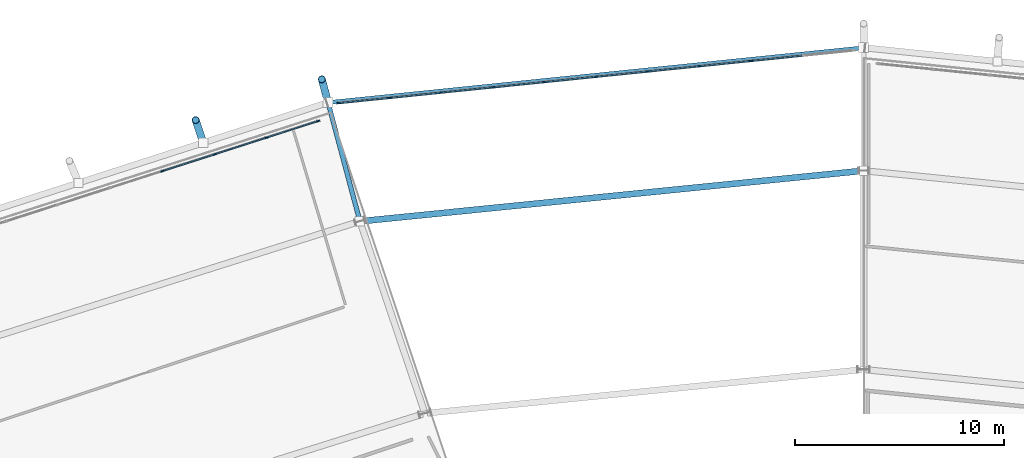
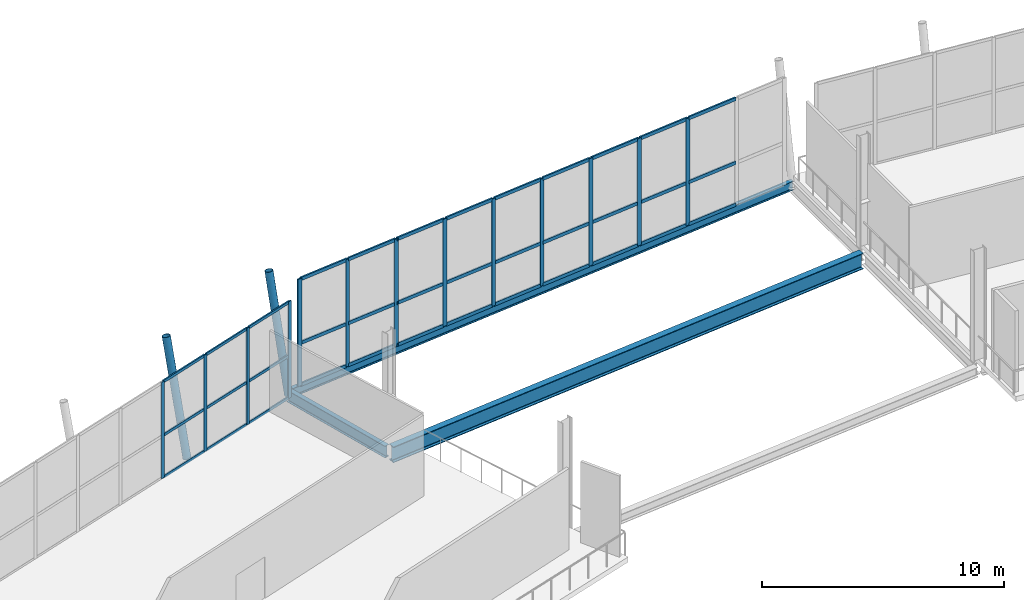
# One storey, part 47 of 99: 51 members, 3 beams, 2 elements without a shape of their own.
"""IFC4 building model written with IfcOpenShell, lengths in metres."""

from ifc_helpers import new_model, si_unit, direction, frame, origin, origin_2d, place, context, subcontext, project, spatial, rectangle, hollow_circle, i_section, extrude, material, material_profile, profile_set, type_object, element, aggregate, save


model = new_model("IFC4")

# Units and contexts
model_context = context("Model", 3, precision=1e-05, world=origin(), true_north=direction((0.0, 1.0)))
body_context = subcontext(model_context, "Body", "Model", "MODEL_VIEW")
ifc_project = project(units=[si_unit("LENGTHUNIT", "METRE"), si_unit("AREAUNIT", "SQUARE_METRE"), si_unit("VOLUMEUNIT", "CUBIC_METRE"), si_unit("PLANEANGLEUNIT", "RADIAN"), si_unit("MASSUNIT", "GRAM", prefix="KILO")], contexts=[model_context])

# Site, building, storey
site_placement = place(None, origin())
site = spatial("IfcSite", under=ifc_project, at=site_placement, CompositionType="ELEMENT")
building_placement = place(site_placement, origin())
building = spatial("IfcBuilding", under=site, at=building_placement, Name="Zlatoyarsky Gate Stadium", CompositionType="ELEMENT")
storey_placement = place(building_placement, frame((0.0, 0.0, 26.199951171875)))
storey = spatial("IfcBuildingStorey", under=building, at=storey_placement, Name="L05", CompositionType="ELEMENT", Elevation=26.199951171875)

# Curtain wall, members
ifc_material_1 = material(Name="Thermally broken anodised aluminium curtain wall", Category="aluminium")
curtain_wall_type_1 = type_object("IfcCurtainWallType", Name="MONUMENTAL ARCHED GATE GLAZING UPPER", PredefinedType="USERDEFINED", material=ifc_material_1)
curtain_wall_1_placement = place(storey_placement, origin())
curtain_wall_1 = element("IfcCurtainWall", 1, at=curtain_wall_1_placement, inside=storey, type_object=curtain_wall_type_1, Name="Curtain wall CW-L05-06", ObjectType="ARCHED GATE GLAZING", PredefinedType="USERDEFINED")
ifc_material_2 = material(Name="Anodised aluminium 6063-T6", Category="aluminium")
ifc_material_profile_1 = material_profile(ifc_material_2, rectangle(XDim=0.074951171875, YDim=0.18994140625, at=origin_2d()), Name="ALU 75X190")
ifc_profile_set_1 = profile_set([ifc_material_profile_1], Name="Anodised aluminium 6063-T6")
member_type_1 = type_object("IfcMemberType", Name="ALUMINIUM GATE MULLION 75X190", PredefinedType="MULLION", material=ifc_profile_set_1)
member_1_placement = place(storey_placement, frame((105.6171875, 156.247314453125, -0.260009765625), z_axis=(0.0, 0.0, 1.0), x_axis=(0.101805036399, -0.994804369996, 0.0)))
member_1 = element("IfcMember", 2, at=member_1_placement, type_object=member_type_1, Name="CW-AG2 mullion 3", PredefinedType="MULLION", context=body_context, shape_type="SweptSolid", body=[
    extrude(rectangle(XDim=0.074951171875, YDim=0.18994140625, at=origin_2d()), origin(), (0.0, 0.0, 1.0), 5.41015625),
])
member_2_placement = place(storey_placement, frame((103.149658203125, 155.99462890625, -0.260009765625), z_axis=(0.0, 0.0, 1.0), x_axis=(0.101805036399, -0.994804369996, 0.0)))
member_2 = element("IfcMember", 3, at=member_2_placement, type_object=member_type_1, Name="CW-AG2 mullion 4", PredefinedType="MULLION", context=body_context, shape_type="SweptSolid", body=[
    extrude(rectangle(XDim=0.074951171875, YDim=0.18994140625, at=origin_2d()), origin(), (0.0, 0.0, 1.0), 5.41015625),
])
member_3_placement = place(storey_placement, frame((100.68212890625, 155.7421875, -0.260009765625), z_axis=(0.0, 0.0, 1.0), x_axis=(0.101805036399, -0.994804369996, 0.0)))
member_3 = element("IfcMember", 4, at=member_3_placement, type_object=member_type_1, Name="CW-AG2 mullion 5", PredefinedType="MULLION", context=body_context, shape_type="SweptSolid", body=[
    extrude(rectangle(XDim=0.074951171875, YDim=0.18994140625, at=origin_2d()), origin(), (0.0, 0.0, 1.0), 5.41015625),
])
member_4_placement = place(storey_placement, frame((98.214599609375, 155.48974609375, -0.260009765625), z_axis=(0.0, 0.0, 1.0), x_axis=(0.101805036399, -0.994804369996, 0.0)))
member_4 = element("IfcMember", 5, at=member_4_placement, type_object=member_type_1, Name="CW-AG2 mullion 6", PredefinedType="MULLION", context=body_context, shape_type="SweptSolid", body=[
    extrude(rectangle(XDim=0.074951171875, YDim=0.18994140625, at=origin_2d()), origin(), (0.0, 0.0, 1.0), 5.41015625),
])
member_5_placement = place(storey_placement, frame((95.7470703125, 155.237060546875, -0.260009765625), z_axis=(0.0, 0.0, 1.0), x_axis=(0.101805036399, -0.994804369996, 0.0)))
member_5 = element("IfcMember", 6, at=member_5_placement, type_object=member_type_1, Name="CW-AG2 mullion 7", PredefinedType="MULLION", context=body_context, shape_type="SweptSolid", body=[
    extrude(rectangle(XDim=0.074951171875, YDim=0.18994140625, at=origin_2d()), origin(), (0.0, 0.0, 1.0), 5.41015625),
])
member_6_placement = place(storey_placement, frame((93.279541015625, 154.984619140625, -0.260009765625), z_axis=(0.0, 0.0, 1.0), x_axis=(0.101805036399, -0.994804369996, 0.0)))
member_6 = element("IfcMember", 7, at=member_6_placement, type_object=member_type_1, Name="CW-AG2 mullion 8", PredefinedType="MULLION", context=body_context, shape_type="SweptSolid", body=[
    extrude(rectangle(XDim=0.074951171875, YDim=0.18994140625, at=origin_2d()), origin(), (0.0, 0.0, 1.0), 5.41015625),
])
member_7_placement = place(storey_placement, frame((90.81201171875, 154.732177734375, -0.260009765625), z_axis=(0.0, 0.0, 1.0), x_axis=(0.101805036399, -0.994804369996, 0.0)))
member_7 = element("IfcMember", 8, at=member_7_placement, type_object=member_type_1, Name="CW-AG2 mullion 9", PredefinedType="MULLION", context=body_context, shape_type="SweptSolid", body=[
    extrude(rectangle(XDim=0.074951171875, YDim=0.18994140625, at=origin_2d()), origin(), (0.0, 0.0, 1.0), 5.41015625),
])
member_8_placement = place(storey_placement, frame((88.344482421875, 154.479736328125, -0.260009765625), z_axis=(0.0, 0.0, 1.0), x_axis=(0.101805036399, -0.994804369996, 0.0)))
member_8 = element("IfcMember", 9, at=member_8_placement, type_object=member_type_1, Name="CW-AG2 mullion 10", PredefinedType="MULLION", context=body_context, shape_type="SweptSolid", body=[
    extrude(rectangle(XDim=0.074951171875, YDim=0.18994140625, at=origin_2d()), origin(), (0.0, 0.0, 1.0), 5.41015625),
])
member_9_placement = place(storey_placement, frame((85.914306640625, 154.23095703125, -0.260009765625), z_axis=(0.0, 0.0, 1.0), x_axis=(0.101805036399, -0.994804369996, 0.0)))
member_9 = element("IfcMember", 10, at=member_9_placement, type_object=member_type_1, Name="CW-AG2 mullion 11", PredefinedType="MULLION", context=body_context, shape_type="SweptSolid", body=[
    extrude(rectangle(XDim=0.074951171875, YDim=0.18994140625, at=origin_2d()), origin(), (0.0, 0.0, 1.0), 5.41015625),
])
ifc_material_profile_2 = material_profile(ifc_material_2, rectangle(XDim=0.074951171875, YDim=0.169921875, at=origin_2d()), Name="ALU 75X170")
ifc_profile_set_2 = profile_set([ifc_material_profile_2], Name="Anodised aluminium 6063-T6")
member_type_2 = type_object("IfcMemberType", Name="ALUMINIUM GATE TRANSOM 75X170", PredefinedType="USERDEFINED", material=ifc_profile_set_2)
member_10_placement = place(storey_placement, frame((108.04736328125, 156.495849609375, -0.222412109375), z_axis=(-0.994804394575, -0.101804796221, 0.0), x_axis=(0.101804796221, -0.994804394575, 0.0)))
member_10 = element("IfcMember", 11, at=member_10_placement, type_object=member_type_2, Name="CW-AG2 transom 2.1", ObjectType="TRANSOM", PredefinedType="USERDEFINED", context=body_context, shape_type="SweptSolid", body=[
    extrude(rectangle(XDim=0.074951171875, YDim=0.169921875, at=origin_2d()), origin(), (0.0, 0.0, 1.0), 2.4052734375),
])
member_11_placement = place(storey_placement, frame((108.04736328125, 156.495849609375, 1.89013671875), z_axis=(-0.994804394575, -0.101804796221, 0.0), x_axis=(0.101804796221, -0.994804394575, 0.0)))
member_11 = element("IfcMember", 12, at=member_11_placement, type_object=member_type_2, Name="CW-AG2 transom 2.2", ObjectType="TRANSOM", PredefinedType="USERDEFINED", context=body_context, shape_type="SweptSolid", body=[
    extrude(rectangle(XDim=0.074951171875, YDim=0.169921875, at=origin_2d()), origin(), (0.0, 0.0, 1.0), 2.4052734375),
])
member_12_placement = place(storey_placement, frame((108.04736328125, 156.495849609375, 5.112548828125), z_axis=(-0.994804394575, -0.101804796221, 0.0), x_axis=(0.101804796221, -0.994804394575, 0.0)))
member_12 = element("IfcMember", 13, at=member_12_placement, type_object=member_type_2, Name="CW-AG2 transom 2.3", ObjectType="TRANSOM", PredefinedType="USERDEFINED", context=body_context, shape_type="SweptSolid", body=[
    extrude(rectangle(XDim=0.074951171875, YDim=0.169921875, at=origin_2d()), origin(), (0.0, 0.0, 1.0), 2.4052734375),
])
member_13_placement = place(storey_placement, frame((105.579833984375, 156.243408203125, -0.222412109375), z_axis=(-0.994804394575, -0.101804796221, 0.0), x_axis=(0.101804796221, -0.994804394575, 0.0)))
member_13 = element("IfcMember", 14, at=member_13_placement, type_object=member_type_2, Name="CW-AG2 transom 3.1", ObjectType="TRANSOM", PredefinedType="USERDEFINED", context=body_context, shape_type="SweptSolid", body=[
    extrude(rectangle(XDim=0.074951171875, YDim=0.169921875, at=origin_2d()), origin(), (0.0, 0.0, 1.0), 2.4052734375),
])
member_14_placement = place(storey_placement, frame((105.579833984375, 156.243408203125, 1.89013671875), z_axis=(-0.994804394575, -0.101804796221, 0.0), x_axis=(0.101804796221, -0.994804394575, 0.0)))
member_14 = element("IfcMember", 15, at=member_14_placement, type_object=member_type_2, Name="CW-AG2 transom 3.2", ObjectType="TRANSOM", PredefinedType="USERDEFINED", context=body_context, shape_type="SweptSolid", body=[
    extrude(rectangle(XDim=0.074951171875, YDim=0.169921875, at=origin_2d()), origin(), (0.0, 0.0, 1.0), 2.4052734375),
])
member_15_placement = place(storey_placement, frame((105.579833984375, 156.243408203125, 5.112548828125), z_axis=(-0.994804394575, -0.101804796221, 0.0), x_axis=(0.101804796221, -0.994804394575, 0.0)))
member_15 = element("IfcMember", 16, at=member_15_placement, type_object=member_type_2, Name="CW-AG2 transom 3.3", ObjectType="TRANSOM", PredefinedType="USERDEFINED", context=body_context, shape_type="SweptSolid", body=[
    extrude(rectangle(XDim=0.074951171875, YDim=0.169921875, at=origin_2d()), origin(), (0.0, 0.0, 1.0), 2.4052734375),
])
member_16_placement = place(storey_placement, frame((103.1123046875, 155.990966796875, -0.222412109375), z_axis=(-0.994804394575, -0.101804796221, 0.0), x_axis=(0.101804796221, -0.994804394575, 0.0)))
member_16 = element("IfcMember", 17, at=member_16_placement, type_object=member_type_2, Name="CW-AG2 transom 4.1", ObjectType="TRANSOM", PredefinedType="USERDEFINED", context=body_context, shape_type="SweptSolid", body=[
    extrude(rectangle(XDim=0.074951171875, YDim=0.169921875, at=origin_2d()), origin(), (0.0, 0.0, 1.0), 2.4052734375),
])
member_17_placement = place(storey_placement, frame((103.1123046875, 155.990966796875, 1.89013671875), z_axis=(-0.994804394575, -0.101804796221, 0.0), x_axis=(0.101804796221, -0.994804394575, 0.0)))
member_17 = element("IfcMember", 18, at=member_17_placement, type_object=member_type_2, Name="CW-AG2 transom 4.2", ObjectType="TRANSOM", PredefinedType="USERDEFINED", context=body_context, shape_type="SweptSolid", body=[
    extrude(rectangle(XDim=0.074951171875, YDim=0.169921875, at=origin_2d()), origin(), (0.0, 0.0, 1.0), 2.4052734375),
])
member_18_placement = place(storey_placement, frame((103.1123046875, 155.990966796875, 5.112548828125), z_axis=(-0.994804394575, -0.101804796221, 0.0), x_axis=(0.101804796221, -0.994804394575, 0.0)))
member_18 = element("IfcMember", 19, at=member_18_placement, type_object=member_type_2, Name="CW-AG2 transom 4.3", ObjectType="TRANSOM", PredefinedType="USERDEFINED", context=body_context, shape_type="SweptSolid", body=[
    extrude(rectangle(XDim=0.074951171875, YDim=0.169921875, at=origin_2d()), origin(), (0.0, 0.0, 1.0), 2.4052734375),
])
member_19_placement = place(storey_placement, frame((100.644775390625, 155.73828125, -0.222412109375), z_axis=(-0.994804394575, -0.101804796221, 0.0), x_axis=(0.101804796221, -0.994804394575, 0.0)))
member_19 = element("IfcMember", 20, at=member_19_placement, type_object=member_type_2, Name="CW-AG2 transom 5.1", ObjectType="TRANSOM", PredefinedType="USERDEFINED", context=body_context, shape_type="SweptSolid", body=[
    extrude(rectangle(XDim=0.074951171875, YDim=0.169921875, at=origin_2d()), origin(), (0.0, 0.0, 1.0), 2.4052734375),
])
member_20_placement = place(storey_placement, frame((100.644775390625, 155.73828125, 1.89013671875), z_axis=(-0.994804394575, -0.101804796221, 0.0), x_axis=(0.101804796221, -0.994804394575, 0.0)))
member_20 = element("IfcMember", 21, at=member_20_placement, type_object=member_type_2, Name="CW-AG2 transom 5.2", ObjectType="TRANSOM", PredefinedType="USERDEFINED", context=body_context, shape_type="SweptSolid", body=[
    extrude(rectangle(XDim=0.074951171875, YDim=0.169921875, at=origin_2d()), origin(), (0.0, 0.0, 1.0), 2.4052734375),
])
member_21_placement = place(storey_placement, frame((100.644775390625, 155.73828125, 5.112548828125), z_axis=(-0.994804394575, -0.101804796221, 0.0), x_axis=(0.101804796221, -0.994804394575, 0.0)))
member_21 = element("IfcMember", 22, at=member_21_placement, type_object=member_type_2, Name="CW-AG2 transom 5.3", ObjectType="TRANSOM", PredefinedType="USERDEFINED", context=body_context, shape_type="SweptSolid", body=[
    extrude(rectangle(XDim=0.074951171875, YDim=0.169921875, at=origin_2d()), origin(), (0.0, 0.0, 1.0), 2.4052734375),
])
member_22_placement = place(storey_placement, frame((98.17724609375, 155.48583984375, -0.222412109375), z_axis=(-0.994804394575, -0.101804796221, 0.0), x_axis=(0.101804796221, -0.994804394575, 0.0)))
member_22 = element("IfcMember", 23, at=member_22_placement, type_object=member_type_2, Name="CW-AG2 transom 6.1", ObjectType="TRANSOM", PredefinedType="USERDEFINED", context=body_context, shape_type="SweptSolid", body=[
    extrude(rectangle(XDim=0.074951171875, YDim=0.169921875, at=origin_2d()), origin(), (0.0, 0.0, 1.0), 2.4052734375),
])
member_23_placement = place(storey_placement, frame((98.17724609375, 155.48583984375, 1.89013671875), z_axis=(-0.994804394575, -0.101804796221, 0.0), x_axis=(0.101804796221, -0.994804394575, 0.0)))
member_23 = element("IfcMember", 24, at=member_23_placement, type_object=member_type_2, Name="CW-AG2 transom 6.2", ObjectType="TRANSOM", PredefinedType="USERDEFINED", context=body_context, shape_type="SweptSolid", body=[
    extrude(rectangle(XDim=0.074951171875, YDim=0.169921875, at=origin_2d()), origin(), (0.0, 0.0, 1.0), 2.4052734375),
])
member_24_placement = place(storey_placement, frame((98.17724609375, 155.48583984375, 5.112548828125), z_axis=(-0.994804394575, -0.101804796221, 0.0), x_axis=(0.101804796221, -0.994804394575, 0.0)))
member_24 = element("IfcMember", 25, at=member_24_placement, type_object=member_type_2, Name="CW-AG2 transom 6.3", ObjectType="TRANSOM", PredefinedType="USERDEFINED", context=body_context, shape_type="SweptSolid", body=[
    extrude(rectangle(XDim=0.074951171875, YDim=0.169921875, at=origin_2d()), origin(), (0.0, 0.0, 1.0), 2.4052734375),
])
member_25_placement = place(storey_placement, frame((95.709716796875, 155.2333984375, -0.222412109375), z_axis=(-0.994804394575, -0.101804796221, 0.0), x_axis=(0.101804796221, -0.994804394575, 0.0)))
member_25 = element("IfcMember", 26, at=member_25_placement, type_object=member_type_2, Name="CW-AG2 transom 7.1", ObjectType="TRANSOM", PredefinedType="USERDEFINED", context=body_context, shape_type="SweptSolid", body=[
    extrude(rectangle(XDim=0.074951171875, YDim=0.169921875, at=origin_2d()), origin(), (0.0, 0.0, 1.0), 2.4052734375),
])
member_26_placement = place(storey_placement, frame((95.709716796875, 155.2333984375, 1.89013671875), z_axis=(-0.994804394575, -0.101804796221, 0.0), x_axis=(0.101804796221, -0.994804394575, 0.0)))
member_26 = element("IfcMember", 27, at=member_26_placement, type_object=member_type_2, Name="CW-AG2 transom 7.2", ObjectType="TRANSOM", PredefinedType="USERDEFINED", context=body_context, shape_type="SweptSolid", body=[
    extrude(rectangle(XDim=0.074951171875, YDim=0.169921875, at=origin_2d()), origin(), (0.0, 0.0, 1.0), 2.4052734375),
])
member_27_placement = place(storey_placement, frame((95.709716796875, 155.2333984375, 5.112548828125), z_axis=(-0.994804394575, -0.101804796221, 0.0), x_axis=(0.101804796221, -0.994804394575, 0.0)))
member_27 = element("IfcMember", 28, at=member_27_placement, type_object=member_type_2, Name="CW-AG2 transom 7.3", ObjectType="TRANSOM", PredefinedType="USERDEFINED", context=body_context, shape_type="SweptSolid", body=[
    extrude(rectangle(XDim=0.074951171875, YDim=0.169921875, at=origin_2d()), origin(), (0.0, 0.0, 1.0), 2.4052734375),
])
member_28_placement = place(storey_placement, frame((93.2421875, 154.98095703125, -0.222412109375), z_axis=(-0.994794110081, -0.101905242988, 0.0), x_axis=(0.101905242988, -0.994794110081, 0.0)))
member_28 = element("IfcMember", 29, at=member_28_placement, type_object=member_type_2, Name="CW-AG2 transom 8.1", ObjectType="TRANSOM", PredefinedType="USERDEFINED", context=body_context, shape_type="SweptSolid", body=[
    extrude(rectangle(XDim=0.074951171875, YDim=0.169921875, at=origin_2d()), origin(), (0.0, 0.0, 1.0), 2.4052734375),
])
member_29_placement = place(storey_placement, frame((93.2421875, 154.98095703125, 1.89013671875), z_axis=(-0.994794110081, -0.101905242988, 0.0), x_axis=(0.101905242988, -0.994794110081, 0.0)))
member_29 = element("IfcMember", 30, at=member_29_placement, type_object=member_type_2, Name="CW-AG2 transom 8.2", ObjectType="TRANSOM", PredefinedType="USERDEFINED", context=body_context, shape_type="SweptSolid", body=[
    extrude(rectangle(XDim=0.074951171875, YDim=0.169921875, at=origin_2d()), origin(), (0.0, 0.0, 1.0), 2.4052734375),
])
member_30_placement = place(storey_placement, frame((93.2421875, 154.98095703125, 5.112548828125), z_axis=(-0.994794110081, -0.101905242988, 0.0), x_axis=(0.101905242988, -0.994794110081, 0.0)))
member_30 = element("IfcMember", 31, at=member_30_placement, type_object=member_type_2, Name="CW-AG2 transom 8.3", ObjectType="TRANSOM", PredefinedType="USERDEFINED", context=body_context, shape_type="SweptSolid", body=[
    extrude(rectangle(XDim=0.074951171875, YDim=0.169921875, at=origin_2d()), origin(), (0.0, 0.0, 1.0), 2.4052734375),
])
member_31_placement = place(storey_placement, frame((90.774658203125, 154.728271484375, -0.222412109375), z_axis=(-0.994804394575, -0.101804796221, 0.0), x_axis=(0.101804796221, -0.994804394575, 0.0)))
member_31 = element("IfcMember", 32, at=member_31_placement, type_object=member_type_2, Name="CW-AG2 transom 9.1", ObjectType="TRANSOM", PredefinedType="USERDEFINED", context=body_context, shape_type="SweptSolid", body=[
    extrude(rectangle(XDim=0.074951171875, YDim=0.169921875, at=origin_2d()), origin(), (0.0, 0.0, 1.0), 2.4052734375),
])
member_32_placement = place(storey_placement, frame((90.774658203125, 154.728271484375, 1.89013671875), z_axis=(-0.994804394575, -0.101804796221, 0.0), x_axis=(0.101804796221, -0.994804394575, 0.0)))
member_32 = element("IfcMember", 33, at=member_32_placement, type_object=member_type_2, Name="CW-AG2 transom 9.2", ObjectType="TRANSOM", PredefinedType="USERDEFINED", context=body_context, shape_type="SweptSolid", body=[
    extrude(rectangle(XDim=0.074951171875, YDim=0.169921875, at=origin_2d()), origin(), (0.0, 0.0, 1.0), 2.4052734375),
])
member_33_placement = place(storey_placement, frame((90.774658203125, 154.728271484375, 5.112548828125), z_axis=(-0.994804394575, -0.101804796221, 0.0), x_axis=(0.101804796221, -0.994804394575, 0.0)))
member_33 = element("IfcMember", 34, at=member_33_placement, type_object=member_type_2, Name="CW-AG2 transom 9.3", ObjectType="TRANSOM", PredefinedType="USERDEFINED", context=body_context, shape_type="SweptSolid", body=[
    extrude(rectangle(XDim=0.074951171875, YDim=0.169921875, at=origin_2d()), origin(), (0.0, 0.0, 1.0), 2.4052734375),
])
member_34_placement = place(storey_placement, frame((88.30712890625, 154.475830078125, -0.222412109375), z_axis=(-0.994798596446, -0.101861437795, 0.0), x_axis=(0.101861437795, -0.994798596446, 0.0)))
member_34 = element("IfcMember", 35, at=member_34_placement, type_object=member_type_2, Name="CW-AG2 transom 10.1", ObjectType="TRANSOM", PredefinedType="USERDEFINED", context=body_context, shape_type="SweptSolid", body=[
    extrude(rectangle(XDim=0.074951171875, YDim=0.169921875, at=origin_2d()), origin(), (0.0, 0.0, 1.0), 2.367919921875),
])
member_35_placement = place(storey_placement, frame((88.30712890625, 154.475830078125, 1.89013671875), z_axis=(-0.994798596446, -0.101861437795, 0.0), x_axis=(0.101861437795, -0.994798596446, 0.0)))
member_35 = element("IfcMember", 36, at=member_35_placement, type_object=member_type_2, Name="CW-AG2 transom 10.2", ObjectType="TRANSOM", PredefinedType="USERDEFINED", context=body_context, shape_type="SweptSolid", body=[
    extrude(rectangle(XDim=0.074951171875, YDim=0.169921875, at=origin_2d()), origin(), (0.0, 0.0, 1.0), 2.367919921875),
])
member_36_placement = place(storey_placement, frame((88.30712890625, 154.475830078125, 5.112548828125), z_axis=(-0.994798596446, -0.101861437795, 0.0), x_axis=(0.101861437795, -0.994798596446, 0.0)))
member_36 = element("IfcMember", 37, at=member_36_placement, type_object=member_type_2, Name="CW-AG2 transom 10.3", ObjectType="TRANSOM", PredefinedType="USERDEFINED", context=body_context, shape_type="SweptSolid", body=[
    extrude(rectangle(XDim=0.074951171875, YDim=0.169921875, at=origin_2d()), origin(), (0.0, 0.0, 1.0), 2.367919921875),
])
aggregate(curtain_wall_1, [member_1, member_2, member_3, member_4, member_5, member_6, member_7, member_8, member_9, member_10, member_11, member_12, member_13, member_14, member_15, member_16, member_17, member_18, member_19, member_20, member_21, member_22, member_23, member_24, member_25, member_26, member_27, member_28, member_29, member_30, member_31, member_32, member_33, member_34, member_35, member_36])

curtain_wall_type_2 = type_object("IfcCurtainWallType", Name="UNITISED SKYBOX RING GLAZING L05", PredefinedType="USERDEFINED", material=ifc_material_1)
curtain_wall_2_placement = place(storey_placement, origin())
curtain_wall_2 = element("IfcCurtainWall", 38, at=curtain_wall_2_placement, inside=storey, type_object=curtain_wall_type_2, Name="Curtain wall CW-L05-07", ObjectType="UNITISED GLAZING", PredefinedType="USERDEFINED")
ifc_material_profile_3 = material_profile(ifc_material_2, rectangle(XDim=0.06494140625, YDim=0.159912109375, at=origin_2d()), Name="ALU 65X160")
ifc_profile_set_3 = profile_set([ifc_material_profile_3], Name="Anodised aluminium 6063-T6")
member_type_3 = type_object("IfcMemberType", Name="ALUMINIUM MULLION 65X160", PredefinedType="MULLION", material=ifc_profile_set_3)
member_37_placement = place(storey_placement, frame((84.93994140625, 153.37353515625, 0.0), z_axis=(0.0, 0.0, 1.0), x_axis=(0.305979243097, -0.952038183475, 0.0)))
member_37 = element("IfcMember", 39, at=member_37_placement, type_object=member_type_3, Name="CW-UG5 mullion 1", PredefinedType="MULLION", context=body_context, shape_type="SweptSolid", body=[
    extrude(rectangle(XDim=0.06494140625, YDim=0.159912109375, at=origin_2d()), origin(), (0.0, 0.0, 1.0), 4.880126953125),
])
member_38_placement = place(storey_placement, frame((82.477294921875, 152.58203125, 0.0), z_axis=(0.0, 0.0, 1.0), x_axis=(0.305979243097, -0.952038183475, 0.0)))
member_38 = element("IfcMember", 40, at=member_38_placement, type_object=member_type_3, Name="CW-UG5 mullion 2", PredefinedType="MULLION", context=body_context, shape_type="SweptSolid", body=[
    extrude(rectangle(XDim=0.06494140625, YDim=0.159912109375, at=origin_2d()), origin(), (0.0, 0.0, 1.0), 4.880126953125),
])
member_39_placement = place(storey_placement, frame((79.98388671875, 151.78076171875, 0.0), z_axis=(0.0, 0.0, 1.0), x_axis=(0.305979243097, -0.952038183475, 0.0)))
member_39 = element("IfcMember", 41, at=member_39_placement, type_object=member_type_3, Name="CW-UG5 mullion 3", PredefinedType="MULLION", context=body_context, shape_type="SweptSolid", body=[
    extrude(rectangle(XDim=0.06494140625, YDim=0.159912109375, at=origin_2d()), origin(), (0.0, 0.0, 1.0), 4.880126953125),
])
member_40_placement = place(storey_placement, frame((77.490478515625, 150.979248046875, 0.0), z_axis=(0.0, 0.0, 1.0), x_axis=(0.305979243097, -0.952038183475, 0.0)))
member_40 = element("IfcMember", 42, at=member_40_placement, type_object=member_type_3, Name="CW-UG5 mullion 4", PredefinedType="MULLION", context=body_context, shape_type="SweptSolid", body=[
    extrude(rectangle(XDim=0.06494140625, YDim=0.159912109375, at=origin_2d()), origin(), (0.0, 0.0, 1.0), 4.880126953125),
])
ifc_material_profile_4 = material_profile(ifc_material_2, rectangle(XDim=0.06494140625, YDim=0.139892578125, at=origin_2d()), Name="ALU 65X140")
ifc_profile_set_4 = profile_set([ifc_material_profile_4], Name="Anodised aluminium 6063-T6")
member_type_4 = type_object("IfcMemberType", Name="ALUMINIUM TRANSOM 65X140", PredefinedType="USERDEFINED", material=ifc_profile_set_4)
member_41_placement = place(storey_placement, frame((84.908935546875, 153.363525390625, 0.032470703125), z_axis=(-0.952045685445, -0.305955900133, 0.0), x_axis=(0.305955900133, -0.952045685445, 0.0)))
member_41 = element("IfcMember", 43, at=member_41_placement, type_object=member_type_4, Name="CW-UG5 transom 1.1", ObjectType="TRANSOM", PredefinedType="USERDEFINED", context=body_context, shape_type="SweptSolid", body=[
    extrude(rectangle(XDim=0.06494140625, YDim=0.139892578125, at=origin_2d()), origin(), (0.0, 0.0, 1.0), 2.521484375),
])
member_42_placement = place(storey_placement, frame((84.908935546875, 153.363525390625, 2.150146484375), z_axis=(-0.952045685445, -0.305955900133, 0.0), x_axis=(0.305955900133, -0.952045685445, 0.0)))
member_42 = element("IfcMember", 44, at=member_42_placement, type_object=member_type_4, Name="CW-UG5 transom 1.2", ObjectType="TRANSOM", PredefinedType="USERDEFINED", context=body_context, shape_type="SweptSolid", body=[
    extrude(rectangle(XDim=0.06494140625, YDim=0.139892578125, at=origin_2d()), origin(), (0.0, 0.0, 1.0), 2.521484375),
])
member_43_placement = place(storey_placement, frame((84.908935546875, 153.363525390625, 4.84765625), z_axis=(-0.952045685445, -0.305955900133, 0.0), x_axis=(0.305955900133, -0.952045685445, 0.0)))
member_43 = element("IfcMember", 45, at=member_43_placement, type_object=member_type_4, Name="CW-UG5 transom 1.3", ObjectType="TRANSOM", PredefinedType="USERDEFINED", context=body_context, shape_type="SweptSolid", body=[
    extrude(rectangle(XDim=0.06494140625, YDim=0.139892578125, at=origin_2d()), origin(), (0.0, 0.0, 1.0), 2.521484375),
])
member_44_placement = place(storey_placement, frame((82.446533203125, 152.572265625, 0.032470703125), z_axis=(-0.952040495048, -0.305972050667, 0.0), x_axis=(0.305972050667, -0.952040495048, 0.0)))
member_44 = element("IfcMember", 46, at=member_44_placement, type_object=member_type_4, Name="CW-UG5 transom 2.1", ObjectType="TRANSOM", PredefinedType="USERDEFINED", context=body_context, shape_type="SweptSolid", body=[
    extrude(rectangle(XDim=0.06494140625, YDim=0.139892578125, at=origin_2d()), origin(), (0.0, 0.0, 1.0), 2.55419921875),
])
member_45_placement = place(storey_placement, frame((82.446533203125, 152.572265625, 2.150146484375), z_axis=(-0.952040495048, -0.305972050667, 0.0), x_axis=(0.305972050667, -0.952040495048, 0.0)))
member_45 = element("IfcMember", 47, at=member_45_placement, type_object=member_type_4, Name="CW-UG5 transom 2.2", ObjectType="TRANSOM", PredefinedType="USERDEFINED", context=body_context, shape_type="SweptSolid", body=[
    extrude(rectangle(XDim=0.06494140625, YDim=0.139892578125, at=origin_2d()), origin(), (0.0, 0.0, 1.0), 2.55419921875),
])
member_46_placement = place(storey_placement, frame((82.446533203125, 152.572265625, 4.84765625), z_axis=(-0.952040495048, -0.305972050667, 0.0), x_axis=(0.305972050667, -0.952040495048, 0.0)))
member_46 = element("IfcMember", 48, at=member_46_placement, type_object=member_type_4, Name="CW-UG5 transom 2.3", ObjectType="TRANSOM", PredefinedType="USERDEFINED", context=body_context, shape_type="SweptSolid", body=[
    extrude(rectangle(XDim=0.06494140625, YDim=0.139892578125, at=origin_2d()), origin(), (0.0, 0.0, 1.0), 2.55419921875),
])
member_47_placement = place(storey_placement, frame((79.952880859375, 151.770751953125, 0.032470703125), z_axis=(-0.952031545133, -0.305999897176, 0.0), x_axis=(0.305999897176, -0.952031545133, 0.0)))
member_47 = element("IfcMember", 49, at=member_47_placement, type_object=member_type_4, Name="CW-UG5 transom 3.1", ObjectType="TRANSOM", PredefinedType="USERDEFINED", context=body_context, shape_type="SweptSolid", body=[
    extrude(rectangle(XDim=0.06494140625, YDim=0.139892578125, at=origin_2d()), origin(), (0.0, 0.0, 1.0), 2.553955078125),
])
member_48_placement = place(storey_placement, frame((79.952880859375, 151.770751953125, 2.150146484375), z_axis=(-0.952031545133, -0.305999897176, 0.0), x_axis=(0.305999897176, -0.952031545133, 0.0)))
member_48 = element("IfcMember", 50, at=member_48_placement, type_object=member_type_4, Name="CW-UG5 transom 3.2", ObjectType="TRANSOM", PredefinedType="USERDEFINED", context=body_context, shape_type="SweptSolid", body=[
    extrude(rectangle(XDim=0.06494140625, YDim=0.139892578125, at=origin_2d()), origin(), (0.0, 0.0, 1.0), 2.553955078125),
])
member_49_placement = place(storey_placement, frame((79.952880859375, 151.770751953125, 4.84765625), z_axis=(-0.952031545133, -0.305999897176, 0.0), x_axis=(0.305999897176, -0.952031545133, 0.0)))
member_49 = element("IfcMember", 51, at=member_49_placement, type_object=member_type_4, Name="CW-UG5 transom 3.3", ObjectType="TRANSOM", PredefinedType="USERDEFINED", context=body_context, shape_type="SweptSolid", body=[
    extrude(rectangle(XDim=0.06494140625, YDim=0.139892578125, at=origin_2d()), origin(), (0.0, 0.0, 1.0), 2.553955078125),
])
aggregate(curtain_wall_2, [member_37, member_38, member_39, member_40, member_41, member_42, member_43, member_44, member_45, member_46, member_47, member_48, member_49])

# Beams
ifc_material_3 = material(Name="Steel S355", Category="steel")
ifc_material_profile_5 = material_profile(ifc_material_3, i_section(OverallWidth=0.219970703125, OverallDepth=0.60009765625, WebThickness=0.011962890625, FlangeThickness=0.01904296875, FilletRadius=0.02392578125, at=origin_2d()), Name="IPE 600")
ifc_profile_set_5 = profile_set([ifc_material_profile_5], Name="Steel S355")
beam_type_1 = type_object("IfcBeamType", Name="STEEL CANTILEVER FLOOR BEAM IPE 600", PredefinedType="BEAM", material=ifc_profile_set_5)
beam_1_placement = place(storey_placement, frame((86.898681640625, 148.696533203125, -0.56005859375), z_axis=(-0.258802489691, 0.965930262146, 0.0), x_axis=(-0.965930262146, -0.258802489691, 0.0)))
element("IfcBeam", 52, at=beam_1_placement, inside=storey, type_object=beam_type_1, Name="Beam B-IPE600 BM-L05-OUT-07", PredefinedType="BEAM", context=body_context, shape_type="SweptSolid", body=[
    extrude(i_section(OverallWidth=0.219970703125, OverallDepth=0.60009765625, WebThickness=0.011962890625, FlangeThickness=0.01904296875, FilletRadius=0.02392578125, at=origin_2d()), origin(), (0.0, 0.0, 1.0), 5.75830078125),
])
ifc_material_profile_6 = material_profile(ifc_material_3, i_section(OverallWidth=0.18994140625, OverallDepth=0.449951171875, WebThickness=0.009521484375, FlangeThickness=0.0146484375, FilletRadius=0.02099609375, at=origin_2d()), Name="IPE 450")
ifc_profile_set_6 = profile_set([ifc_material_profile_6], Name="Steel S355")
beam_type_2 = type_object("IfcBeamType", Name="STEEL EDGE SPANDREL IPE 450", PredefinedType="SPANDREL", material=ifc_profile_set_6)
beam_2_placement = place(storey_placement, frame((110.97998046875, 156.876220703125, -0.48486328125), z_axis=(-0.994800962536, -0.10183832745, 0.0), x_axis=(0.10183832745, -0.994800962536, 0.0)))
element("IfcBeam", 53, at=beam_2_placement, inside=storey, type_object=beam_type_2, Name="Beam SP-IPE450 BM-L05-SPD-06", PredefinedType="SPANDREL", context=body_context, shape_type="SweptSolid", body=[
    extrude(i_section(OverallWidth=0.18994140625, OverallDepth=0.449951171875, WebThickness=0.009521484375, FlangeThickness=0.0146484375, FilletRadius=0.02099609375, at=origin_2d()), origin(), (0.0, 0.0, 1.0), 25.68505859375),
])

# Members
ifc_material_profile_7 = material_profile(ifc_material_3, hollow_circle(Radius=0.177734375, WallThickness=0.02001953125, at=origin_2d()), Name="CHS 355.6X20")
ifc_profile_set_7 = profile_set([ifc_material_profile_7], Name="Steel S355")
member_type_5 = type_object("IfcMemberType", Name="STEEL LEANING RIB RING STRUT CHS 355.6X20", PredefinedType="STRUT", material=ifc_profile_set_7)
member_50_placement = place(storey_placement, frame((85.408447265625, 154.258544921875, -0.56005859375), z_axis=(-0.051093460038, 0.190625969034, 0.980332187716), x_axis=(-0.965906333777, -0.258891781195, 0.0)))
element("IfcMember", 54, at=member_50_placement, inside=storey, type_object=member_type_5, Name="Upper leaning rib ring strut 07", PredefinedType="STRUT", context=body_context, shape_type="SweptSolid", body=[
    extrude(hollow_circle(Radius=0.177734375, WallThickness=0.02001953125, at=origin_2d()), origin(), (0.0, 0.0, 1.0), 5.82470703125),
])
member_51_placement = place(storey_placement, frame((79.446533203125, 152.33837890625, -0.510009765625), z_axis=(-0.063505816911, 0.18734638797, 0.980238920944), x_axis=(-0.947068082299, -0.32103278258, 0.0)))
element("IfcMember", 55, at=member_51_placement, inside=storey, type_object=member_type_5, Name="Outward-leaning bowl louvre fin rib L05 07-1", PredefinedType="STRUT", context=body_context, shape_type="SweptSolid", body=[
    extrude(hollow_circle(Radius=0.177734375, WallThickness=0.02001953125, at=origin_2d()), origin(), (0.0, 0.0, 1.0), 5.774169921875),
])

# Beam
ifc_material_profile_8 = material_profile(ifc_material_3, i_section(OverallWidth=0.300048828125, OverallDepth=0.800048828125, WebThickness=0.017578125, FlangeThickness=0.032958984375, FilletRadius=0.030029296875, at=origin_2d()), Name="HEB 800")
ifc_profile_set_8 = profile_set([ifc_material_profile_8], Name="Steel S355")
beam_type_3 = type_object("IfcBeamType", Name="STEEL PRIMARY GIRDER HEB 800", PredefinedType="BEAM", material=ifc_profile_set_8)
beam_3_placement = place(storey_placement, frame((110.880615234375, 150.988037109375, -0.659912109375), z_axis=(-0.994986905268, -0.100005291586, 0.0), x_axis=(0.100005291586, -0.994986905268, 0.0)))
element("IfcBeam", 56, at=beam_3_placement, inside=storey, type_object=beam_type_3, Name="Beam G-HEB800 BM-L05-CRC-06", PredefinedType="BEAM", context=body_context, shape_type="SweptSolid", body=[
    extrude(i_section(OverallWidth=0.300048828125, OverallDepth=0.800048828125, WebThickness=0.017578125, FlangeThickness=0.032958984375, FilletRadius=0.030029296875, at=origin_2d()), origin(), (0.0, 0.0, 1.0), 23.951416015625),
])

save(model, "model.ifc")
